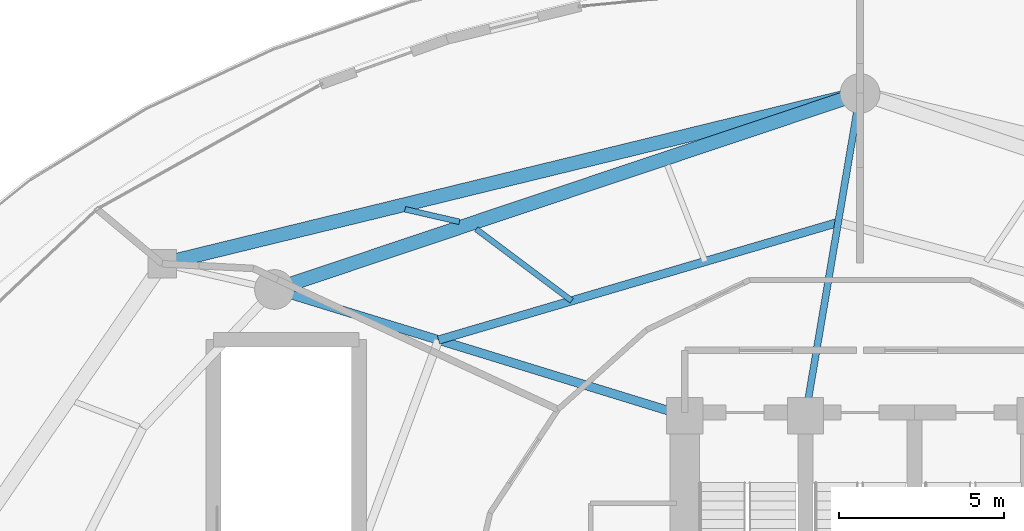
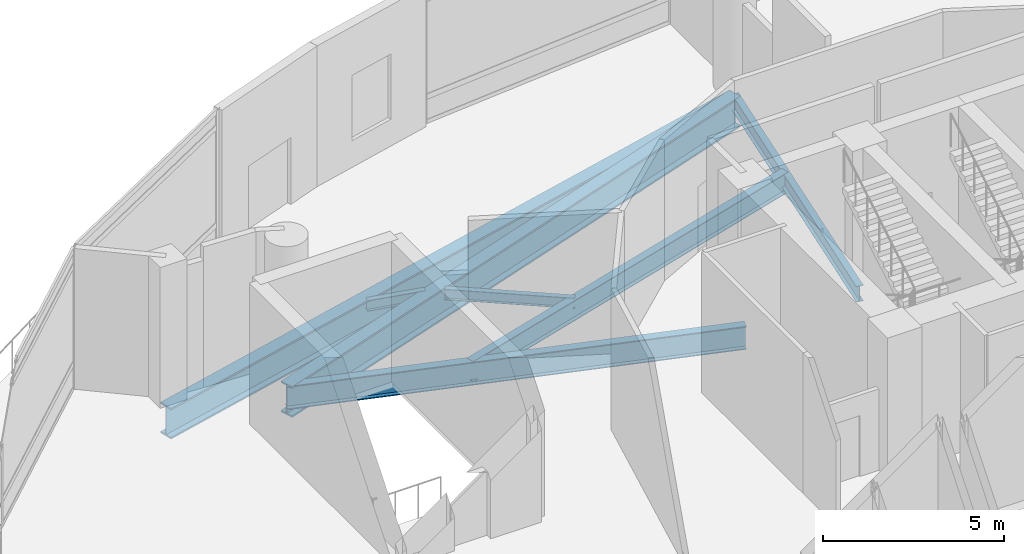
# One storey, part 16 of 34: 7 beams.
"""IFC4 building model written with IfcOpenShell, lengths in metres."""

from ifc_helpers import new_model, si_unit, direction, frame, origin, origin_2d, place, context, subcontext, project, spatial, i_section, extrude, material, material_profile, profile_set, type_object, element, save


model = new_model("IFC4")

# Units and contexts
model_context = context("Model", 3, precision=1e-05, world=origin(), true_north=direction((0.0, 1.0)))
body_context = subcontext(model_context, "Body", "Model", "MODEL_VIEW")
ifc_project = project(units=[si_unit("LENGTHUNIT", "METRE"), si_unit("AREAUNIT", "SQUARE_METRE"), si_unit("VOLUMEUNIT", "CUBIC_METRE"), si_unit("PLANEANGLEUNIT", "RADIAN"), si_unit("MASSUNIT", "GRAM", prefix="KILO")], contexts=[model_context])

# Site, building, storey
site_placement = place(None, origin())
site = spatial("IfcSite", under=ifc_project, at=site_placement, CompositionType="ELEMENT")
building_placement = place(site_placement, origin())
building = spatial("IfcBuilding", under=site, at=building_placement, Name="Nuhasar Tower", CompositionType="ELEMENT")
storey_placement = place(building_placement, frame((0.0, 0.0, 16.0)))
storey = spatial("IfcBuildingStorey", under=building, at=storey_placement, Name="L03", CompositionType="ELEMENT", Elevation=16.0)

# Beams
ifc_material_1 = material(Name="Steel S355", Category="steel")
ifc_material_profile_1 = material_profile(ifc_material_1, i_section(OverallWidth=0.25390625, OverallDepth=0.68408203125, WebThickness=0.012451171875, FlangeThickness=0.018798828125, at=origin_2d()), Name="W27X94")
ifc_profile_set_1 = profile_set([ifc_material_profile_1], Name="Steel S355")
beam_type_1 = type_object("IfcBeamType", Name="BM-INRING-W27X94", PredefinedType="BEAM", material=ifc_profile_set_1)
beam_1_placement = place(storey_placement, frame((38.340087890625, 43.14990234375, -0.64208984375), z_axis=(-0.959290190666, -0.28242225495, 0.0), x_axis=(0.28242225495, -0.959290190666, 0.0)))
element("IfcBeam", 1, at=beam_1_placement, inside=storey, type_object=beam_type_1, Name="L03 Inner Header Beam 06", PredefinedType="BEAM", context=body_context, shape_type="SweptSolid", body=[
    extrude(i_section(OverallWidth=0.25390625, OverallDepth=0.68408203125, WebThickness=0.012451171875, FlangeThickness=0.018798828125, at=origin_2d()), origin(), (0.0, 0.0, 1.0), 12.60107421875),
])
ifc_material_profile_2 = material_profile(ifc_material_1, i_section(OverallWidth=0.1708984375, OverallDepth=0.35205078125, WebThickness=0.0068359375, FlangeThickness=0.009765625, at=origin_2d()), Name="W14X30")
ifc_profile_set_2 = profile_set([ifc_material_profile_2], Name="Steel S355")
beam_type_2 = type_object("IfcBeamType", Name="BM-JST-W14X30", PredefinedType="JOIST", material=ifc_profile_set_2)
beam_2_placement = place(storey_placement, frame((30.281005859375, 40.777099609375, -0.47607421875), z_axis=(-0.799797251655, 0.600270236015, 0.0), x_axis=(-0.600270236015, -0.799797251655, 0.0)))
element("IfcBeam", 2, at=beam_2_placement, inside=storey, type_object=beam_type_2, Name="L03 Secondary Floor Joist 12", PredefinedType="JOIST", context=body_context, shape_type="SweptSolid", body=[
    extrude(i_section(OverallWidth=0.1708984375, OverallDepth=0.35205078125, WebThickness=0.0068359375, FlangeThickness=0.009765625, at=origin_2d()), origin(), (0.0, 0.0, 1.0), 3.61328125),
])
beam_3_placement = place(storey_placement, frame((26.882080078125, 43.1669921875, -0.47607421875), z_axis=(-0.974707362728, 0.223485026441, 0.0), x_axis=(-0.223485026441, -0.974707362728, 0.0)))
element("IfcBeam", 3, at=beam_3_placement, inside=storey, type_object=beam_type_2, Name="L03 Podium Secondary Joist 12", PredefinedType="JOIST", context=body_context, shape_type="SweptSolid", body=[
    extrude(i_section(OverallWidth=0.1708984375, OverallDepth=0.35205078125, WebThickness=0.0068359375, FlangeThickness=0.009765625, at=origin_2d()), origin(), (0.0, 0.0, 1.0), 1.686767578125),
])
ifc_material_profile_3 = material_profile(ifc_material_1, i_section(OverallWidth=0.208984375, OverallDepth=0.532958984375, WebThickness=0.01025390625, FlangeThickness=0.015625, at=origin_2d()), Name="W21X62")
ifc_profile_set_3 = profile_set([ifc_material_profile_3], Name="Steel S355")
beam_type_3 = type_object("IfcBeamType", Name="BM-RAD-W21X62", PredefinedType="BEAM", material=ifc_profile_set_3)
beam_4_placement = place(storey_placement, frame((37.35009765625, 37.300048828125, -0.56689453125), z_axis=(0.166848703013, 0.98598251014, 0.0), x_axis=(-0.98598251014, 0.166848703013, 0.0)))
element("IfcBeam", 4, at=beam_4_placement, inside=storey, type_object=beam_type_3, Name="L03 Radial Floor Girder 06", PredefinedType="BEAM", context=body_context, shape_type="SweptSolid", body=[
    extrude(i_section(OverallWidth=0.208984375, OverallDepth=0.532958984375, WebThickness=0.01025390625, FlangeThickness=0.015625, at=origin_2d()), origin(), (0.0, 0.0, 1.0), 9.888671875),
])
ifc_material_profile_4 = material_profile(ifc_material_1, i_section(OverallWidth=0.26611328125, OverallDepth=0.779052734375, WebThickness=0.0166015625, FlangeThickness=0.030029296875, at=origin_2d()), Name="W30X148")
ifc_profile_set_4 = profile_set([ifc_material_profile_4], Name="Steel S355")
beam_type_4 = type_object("IfcBeamType", Name="BM-RAD-W30X148", PredefinedType="BEAM", material=ifc_profile_set_4)
beam_5_placement = place(storey_placement, frame((33.699951171875, 37.300048828125, -0.68994140625), z_axis=(-0.955789576103, 0.294051502653, 0.0), x_axis=(-0.294051502653, -0.955789576103, 0.0)))
element("IfcBeam", 5, at=beam_5_placement, inside=storey, type_object=beam_type_4, Name="L03 Radial Floor Girder 07", PredefinedType="BEAM", context=body_context, shape_type="SweptSolid", body=[
    extrude(i_section(OverallWidth=0.26611328125, OverallDepth=0.779052734375, WebThickness=0.0166015625, FlangeThickness=0.030029296875, at=origin_2d()), origin(), (0.0, 0.0, 1.0), 12.987060546875),
])
ifc_material_2 = material(Name="Steel S460", Category="steel")
ifc_material_profile_5 = material_profile(ifc_material_2, i_section(OverallWidth=0.419921875, OverallDepth=1.0400390625, WebThickness=0.031005859375, FlangeThickness=0.055908203125, at=origin_2d()), Name="W40X397")
ifc_profile_set_5 = profile_set([ifc_material_profile_5], Name="Steel S460")
beam_type_5 = type_object("IfcBeamType", Name="BM-XFER-W40X397", PredefinedType="USERDEFINED", material=ifc_profile_set_5)
beam_6_placement = place(storey_placement, frame((39.0, 47.050048828125, -0.820068359375), z_axis=(-0.948251107254, -0.317521397062, 0.0), x_axis=(0.317521397062, -0.948251107254, 0.0)))
element("IfcBeam", 6, at=beam_6_placement, inside=storey, type_object=beam_type_5, Name="L03 Mega-Column Ring Girder 06", ObjectType="GIRDER", PredefinedType="USERDEFINED", context=body_context, shape_type="SweptSolid", body=[
    extrude(i_section(OverallWidth=0.419921875, OverallDepth=1.0400390625, WebThickness=0.031005859375, FlangeThickness=0.055908203125, at=origin_2d()), origin(), (0.0, 0.0, 1.0), 18.679443359375),
])
beam_7_placement = place(storey_placement, frame((39.0, 47.050048828125, -0.820068359375), z_axis=(-0.971466874575, -0.23717527612, 0.0), x_axis=(0.23717527612, -0.971466874575, 0.0)))
element("IfcBeam", 7, at=beam_7_placement, inside=storey, type_object=beam_type_5, Name="L03 Podium Ring Girder 06", ObjectType="GIRDER", PredefinedType="USERDEFINED", context=body_context, shape_type="SweptSolid", body=[
    extrude(i_section(OverallWidth=0.419921875, OverallDepth=1.0400390625, WebThickness=0.031005859375, FlangeThickness=0.055908203125, at=origin_2d()), origin(), (0.0, 0.0, 1.0), 21.726806640625),
])

save(model, "model.ifc")
